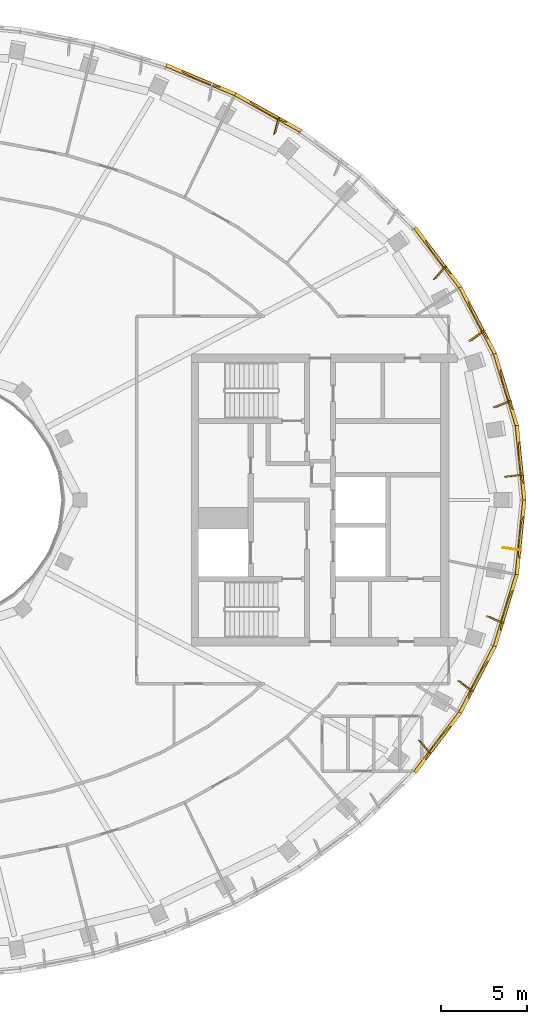
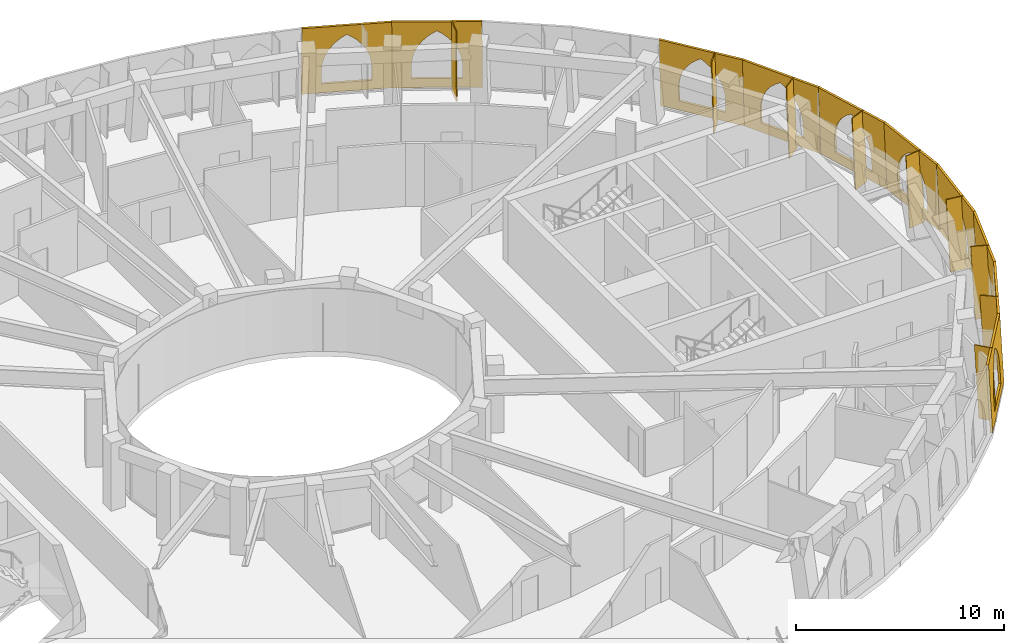
# One storey, part 15 of 15: 19 coverings.
"""IFC4 building model written with IfcOpenShell, lengths in metres."""

from ifc_helpers import new_model, si_unit, direction, frame, origin, place, context, subcontext, project, spatial, polyline, outline, extrude, material, layer, layer_set, type_object, element, save


model = new_model("IFC4")

# Units and contexts
model_context = context("Model", 3, precision=1e-05, world=origin(), true_north=direction((0.0, 1.0)))
body_context = subcontext(model_context, "Body", "Model", "MODEL_VIEW")
ifc_project = project(units=[si_unit("LENGTHUNIT", "METRE"), si_unit("AREAUNIT", "SQUARE_METRE"), si_unit("VOLUMEUNIT", "CUBIC_METRE"), si_unit("PLANEANGLEUNIT", "RADIAN"), si_unit("MASSUNIT", "GRAM", prefix="KILO")], contexts=[model_context])

# Site, building, storey
site_placement = place(None, origin())
site = spatial("IfcSite", under=ifc_project, at=site_placement, CompositionType="ELEMENT")
building_placement = place(site_placement, origin())
building = spatial("IfcBuilding", under=site, at=building_placement, Name="Noorbagh Ring Tower", CompositionType="ELEMENT")
storey_placement = place(building_placement, frame((0.0, 0.0, 331.0)))
storey = spatial("IfcBuildingStorey", under=building, at=storey_placement, Name="L72", CompositionType="ELEMENT", Elevation=331.0)

# Coverings
ifc_material_1 = material(Name="Aluminium 6063-T6 black anodised", Category="aluminium")
ifc_layer_1 = layer(ifc_material_1, 0.050048828125)
ifc_layer_set_1 = layer_set([ifc_layer_1], Name="Aluminium 6063-T6 black anodised")
covering_type_1 = type_object("IfcCoveringType", Name="STYLE-HEAD-FIN", PredefinedType="CLADDING", material=ifc_layer_set_1)
covering_1_placement = place(storey_placement, frame((35.869384765625, 1.45458984375, -0.31494140625), z_axis=(0.123967256575, -0.992280578887, 0.003372248733), x_axis=(-0.049785220791, -0.002825494937, 0.998755950355)))
element("IfcCovering", 1, at=covering_1_placement, inside=storey, type_object=covering_type_1, Name="Fin rib F01 L72", ObjectType="FIN", PredefinedType="CLADDING", context=body_context, shape_type="SweptSolid", body=[
    extrude(outline(polyline([(0.0, 0.0), (4.320316093953795, -2.7755575615628914e-17), (4.3650928490417416, 0.8988943311829148), (0.04477675508794575, 0.8988943311829148), (0.0, 0.0)])), origin(), (0.0, 0.0, -1.0), 0.050048828125),
])
covering_2_placement = place(storey_placement, frame((35.1494140625, 5.760009765625, -0.31494140625), z_axis=(0.380407755071, -0.924777355376, 0.008762583256), x_axis=(-0.048612859224, -0.01053331601, 0.998762153454)))
element("IfcCovering", 2, at=covering_2_placement, inside=storey, type_object=covering_type_1, Name="Fin rib F02 L72", ObjectType="FIN", PredefinedType="CLADDING", context=body_context, shape_type="SweptSolid", body=[
    extrude(outline(polyline([(0.0, 0.0), (4.320287863567138, -5.551115123125783e-17), (4.36436441605748, 0.8990579126163802), (0.04406725572686171, 0.8989253009266853), (0.0, 0.0)])), origin(), (0.0, 0.0, -1.0), 0.050048828125),
])
covering_3_placement = place(storey_placement, frame((33.61962890625, 9.851318359375, -0.31494140625), z_axis=(0.594792868756, -0.803770481787, 0.013208174929), x_axis=(-0.046328594773, -0.017870818806, 0.99876638667)))
element("IfcCovering", 3, at=covering_3_placement, inside=storey, type_object=covering_type_1, Name="Fin rib F03 L72", ObjectType="FIN", PredefinedType="CLADDING", context=body_context, shape_type="SweptSolid", body=[
    extrude(outline(polyline([(0.0, 0.0), (4.320271910268459, 0.0), (4.363353534281039, 0.8989375491541148), (0.04309293470466303, 0.8991334824790429), (0.0, 0.0)])), origin(), (0.0, 0.0, -1.0), 0.050048828125),
])
covering_4_placement = place(storey_placement, frame((31.385009765625, 13.608642578125, -0.31494140625), z_axis=(0.755214781516, -0.655269855321, 0.016493953047), x_axis=(-0.043131535722, -0.024569958976, 0.998767234015)))
element("IfcCovering", 4, at=covering_4_placement, inside=storey, type_object=covering_type_1, Name="Fin rib F04 L72", ObjectType="FIN", PredefinedType="CLADDING", context=body_context, shape_type="SweptSolid", body=[
    extrude(outline(polyline([(0.0, 0.0), (4.320265963841156, 0.0), (4.362406724606096, 0.8989521104898888), (0.04214675929008034, 0.8991364354869462), (0.0, 0.0)])), origin(), (0.0, 0.0, -1.0), 0.050048828125),
])
covering_5_placement = place(storey_placement, frame((21.665283203125, 22.312744140625, -0.31494140625), z_axis=(0.96817608092, -0.249571867315, 0.018680454453), x_axis=(-0.029554993028, -0.039896415062, 0.998766628624)))
element("IfcCovering", 5, at=covering_5_placement, inside=storey, type_object=covering_type_1, Name="Fin rib F07 L72", ObjectType="FIN", PredefinedType="CLADDING", context=body_context, shape_type="SweptSolid", body=[
    extrude(outline(polyline([(0.0, 0.0), (4.320269903486906, 2.7755575615628914e-17), (4.361671490142717, 0.8988687332414541), (0.04140158665581105, 0.8988687332414541), (0.0, 0.0)])), origin(), (0.0, 0.0, -1.0), 0.050048828125),
])
covering_6_placement = place(storey_placement, frame((30.502685546875, -14.773193359375, -0.31494140625), z_axis=(0.764116430804, 0.64490124751, 0.015114930901), x_axis=(-0.042421693939, 0.026855655197, 0.99873879151)))
element("IfcCovering", 6, at=covering_6_placement, inside=storey, type_object=covering_type_1, Name="Fin rib F43 L72", ObjectType="FIN", PredefinedType="CLADDING", context=body_context, shape_type="SweptSolid", body=[
    extrude(outline(polyline([(0.0, 0.0), (4.3203917308394315, 2.7755575615628914e-17), (4.363479803882294, -0.8988377741312422), (0.04309842990173446, -0.8989949230499945), (0.0, 0.0)])), origin(), (0.0, 0.0, -1.0), 0.050048828125),
])
covering_7_placement = place(storey_placement, frame((32.944580078125, -11.146728515625, -0.31494140625), z_axis=(0.609483930236, 0.792708850073, 0.011917122108), x_axis=(-0.045931231231, 0.020300342172, 0.998738313126)))
element("IfcCovering", 7, at=covering_7_placement, inside=storey, type_object=covering_type_1, Name="Fin rib F44 L72", ObjectType="FIN", PredefinedType="CLADDING", context=body_context, shape_type="SweptSolid", body=[
    extrude(outline(polyline([(0.0, 0.0), (4.32039327637094, -2.7755575615628914e-17), (4.364296090462197, -0.898847255753012), (0.043914027770757626, -0.8990404849468758), (0.0, 0.0)])), origin(), (0.0, 0.0, -1.0), 0.050048828125),
])
covering_8_placement = place(storey_placement, frame((34.722900390625, -7.15673828125, -0.31494140625), z_axis=(0.40049449565, 0.91626847701, 0.007499132783), x_axis=(-0.048382302964, 0.012973410848, 0.998744633713)))
element("IfcCovering", 8, at=covering_8_placement, inside=storey, type_object=covering_type_1, Name="Fin rib F45 L72", ObjectType="FIN", PredefinedType="CLADDING", context=body_context, shape_type="SweptSolid", body=[
    extrude(outline(polyline([(0.0, 0.0), (4.320364207050518, -2.7755575615628914e-17), (4.364940421363235, -0.8988925879084151), (0.044579381649349846, -0.8989903307193711), (0.0, 0.0)])), origin(), (0.0, 0.0, -1.0), 0.050048828125),
])
covering_9_placement = place(storey_placement, frame((35.72314453125, -2.9072265625, -0.31494140625), z_axis=(0.147437986241, 0.989068809266, 0.00222052913), x_axis=(-0.049724271434, 0.005170008208, 0.998749602175)))
element("IfcCovering", 9, at=covering_9_placement, inside=storey, type_object=covering_type_1, Name="Fin rib F46 L72", ObjectType="FIN", PredefinedType="CLADDING", context=body_context, shape_type="SweptSolid", body=[
    extrude(outline(polyline([(0.0, 0.0), (4.320343822865375, 0.0), (4.365291864397006, -0.8988671743970689), (0.04494677932259461, -0.8988311968471917), (0.0, 0.0)])), origin(), (0.0, 0.0, -1.0), 0.050048828125),
])
ifc_material_2 = material(Name="Red sandstone jali", Category="masonry")
ifc_layer_2 = layer(ifc_material_2, 0.1201171875)
ifc_layer_set_2 = layer_set([ifc_layer_2], Name="Red sandstone jali")
covering_type_2 = type_object("IfcCoveringType", Name="STYLE-HEAD-SKIN", PredefinedType="CLADDING", material=ifc_layer_set_2)
covering_10_placement = place(storey_placement, frame((36.0, 0.0, 0.0), z_axis=(0.993734277781, 0.100049361488, 0.049822790254), x_axis=(-0.100173709194, 0.994969963358, -1.223837e-06)))
element("IfcCovering", 10, at=covering_10_placement, inside=storey, type_object=covering_type_2, Name="Head skin panel", ObjectType="HEAD SKIN", PredefinedType="CLADDING", context=body_context, shape_type="SweptSolid", body=[
    extrude(outline(polyline([(0.0, 0.0), (4.380615234375, 0.0), (4.369384765625, 4.0048828125), (0.02001953125, 4.0048828125), (0.0, 0.0)]), holes=[polyline([(0.97314453125, 0.550048828125), (0.97412109375, 1.345703125), (0.9951171875, 1.66357421875), (1.0576171875, 1.97607421875), (1.160400390625, 2.27783203125), (1.3017578125, 2.5634765625), (1.47900390625, 2.828369140625), (1.689208984375, 3.068115234375), (1.92919921875, 3.278076171875), (2.194091796875, 3.455078125), (2.458984375, 3.278076171875), (2.6982421875, 3.068115234375), (2.907958984375, 2.828369140625), (3.084716796875, 2.5634765625), (3.225341796875, 2.27783203125), (3.327392578125, 1.97607421875), (3.38916015625, 1.66357421875), (3.40966796875, 1.345703125), (3.40869140625, 0.550048828125), (0.97314453125, 0.550048828125)])]), origin(), (0.0, 0.0, -1.0), 0.1201171875),
])
covering_11_placement = place(storey_placement, frame((35.561279296875, 4.358642578125, 0.0), z_axis=(0.955189691899, 0.291812321825, 0.049580453014), x_axis=(-0.29217173801, 0.956365869061, 1.767766e-06)))
element("IfcCovering", 11, at=covering_11_placement, inside=storey, type_object=covering_type_2, Name="Head skin panel", ObjectType="HEAD SKIN", PredefinedType="CLADDING", context=body_context, shape_type="SweptSolid", body=[
    extrude(outline(polyline([(0.0, 0.0), (4.38134765625, 0.0), (4.378662109375, 4.0048828125), (0.028076171875, 4.0048828125), (0.0, 0.0)]), holes=[polyline([(0.97412109375, 0.550048828125), (0.976806640625, 1.34521484375), (0.99853515625, 1.6630859375), (1.061767578125, 1.9755859375), (1.1650390625, 2.27734375), (1.306884765625, 2.563232421875), (1.48486328125, 2.828125), (1.69580078125, 3.06787109375), (1.93603515625, 3.27783203125), (2.20166015625, 3.455078125), (2.466064453125, 3.27783203125), (2.704833984375, 3.06787109375), (2.914306640625, 2.828125), (3.090576171875, 2.563232421875), (3.23046875, 2.27734375), (3.33203125, 1.9755859375), (3.393310546875, 1.6630859375), (3.4130859375, 1.34521484375), (3.410400390625, 0.550048828125), (0.97412109375, 0.550048828125)])]), origin(), (0.0, 0.0, -1.0), 0.1201171875),
])
covering_12_placement = place(storey_placement, frame((34.281005859375, 8.548828125, 0.0), z_axis=(0.885655776281, 0.461713503039, 0.049340521399), x_axis=(-0.462276558435, 0.886735802549, 2.13863e-07)))
element("IfcCovering", 12, at=covering_12_placement, inside=storey, type_object=covering_type_2, Name="Head skin panel", ObjectType="HEAD SKIN", PredefinedType="CLADDING", context=body_context, shape_type="SweptSolid", body=[
    extrude(outline(polyline([(0.0, 0.0), (4.38232421875, 0.0), (4.38623046875, 4.0048828125), (0.033935546875, 4.0048828125), (0.0, 0.0)]), holes=[polyline([(0.97509765625, 0.550048828125), (0.97900390625, 1.343994140625), (1.001220703125, 1.662353515625), (1.06494140625, 1.97509765625), (1.168701171875, 2.27685546875), (1.311279296875, 2.562744140625), (1.489501953125, 2.827880859375), (1.700927734375, 3.067626953125), (1.941650390625, 3.27783203125), (2.20751953125, 3.454833984375), (2.4716796875, 3.27783203125), (2.71044921875, 3.067626953125), (2.919677734375, 2.827880859375), (3.095458984375, 2.562744140625), (3.235107421875, 2.27685546875), (3.336181640625, 1.97509765625), (3.39697265625, 1.662353515625), (3.416259765625, 1.343994140625), (3.412353515625, 0.550048828125), (0.97509765625, 0.550048828125)])]), origin(), (0.0, 0.0, -1.0), 0.1201171875),
])
covering_13_placement = place(storey_placement, frame((32.255126953125, 12.434814453125, 0.0), z_axis=(0.79599848454, 0.603298925036, 0.049161160085), x_axis=(-0.604029260729, 0.796962139742, -5.29737e-07)))
element("IfcCovering", 13, at=covering_13_placement, inside=storey, type_object=covering_type_2, Name="Head skin panel", ObjectType="HEAD SKIN", PredefinedType="CLADDING", context=body_context, shape_type="SweptSolid", body=[
    extrude(outline(polyline([(0.0, 0.0), (4.383056640625, 0.0), (4.39208984375, 4.0048828125), (0.037353515625, 4.0048828125), (0.0, 0.0)]), holes=[polyline([(0.9755859375, 0.550048828125), (0.980224609375, 1.343017578125), (1.0029296875, 1.661376953125), (1.06689453125, 1.97412109375), (1.171142578125, 2.2763671875), (1.31396484375, 2.562255859375), (1.49267578125, 2.82763671875), (1.704345703125, 3.0673828125), (1.9453125, 3.277587890625), (2.211669921875, 3.454833984375), (2.475830078125, 3.277587890625), (2.71435546875, 3.0673828125), (2.92333984375, 2.82763671875), (3.09912109375, 2.562255859375), (3.238525390625, 2.2763671875), (3.339111328125, 1.97412109375), (3.399658203125, 1.661376953125), (3.418701171875, 1.343017578125), (3.4140625, 0.550048828125), (0.9755859375, 0.550048828125)])]), origin(), (0.0, 0.0, -1.0), 0.1201171875),
])
covering_14_placement = place(storey_placement, frame((22.9326171875, 21.583740234375, 0.0), z_axis=(0.488867790187, 0.870966542693, 0.049250027689), x_axis=(-0.872024799365, 0.489461693383, 1.57944e-06)))
element("IfcCovering", 14, at=covering_14_placement, inside=storey, type_object=covering_type_2, Name="Head skin panel", ObjectType="HEAD SKIN", PredefinedType="CLADDING", context=body_context, shape_type="SweptSolid", body=[
    extrude(outline(polyline([(0.0, 0.0), (4.3857421875, 0.0), (4.39501953125, 4.0048828125), (0.035888671875, 4.0048828125), (0.0, 0.0)]), holes=[polyline([(0.97509765625, 0.550048828125), (0.979736328125, 1.3408203125), (1.00244140625, 1.659423828125), (1.06640625, 1.97265625), (1.1708984375, 2.27490234375), (1.313720703125, 2.561279296875), (1.49267578125, 2.826904296875), (1.70458984375, 3.06689453125), (1.94580078125, 3.277587890625), (2.21240234375, 3.454833984375), (2.476806640625, 3.277587890625), (2.7158203125, 3.06689453125), (2.9248046875, 2.826904296875), (3.100830078125, 2.561279296875), (3.240478515625, 2.27490234375), (3.34130859375, 1.97265625), (3.40185546875, 1.659423828125), (3.4208984375, 1.3408203125), (3.41650390625, 0.550048828125), (0.97509765625, 0.550048828125)])]), origin(), (0.0, 0.0, -1.0), 0.1201171875),
])
covering_15_placement = place(storey_placement, frame((19.108154296875, 23.730224609375, 0.0), z_axis=(0.387170228945, 0.920682830737, 0.049420026363), x_axis=(-0.921809199113, 0.387643909317, -2.64757e-07)))
element("IfcCovering", 15, at=covering_15_placement, inside=storey, type_object=covering_type_2, Name="Head skin panel", ObjectType="HEAD SKIN", PredefinedType="CLADDING", context=body_context, shape_type="SweptSolid", body=[
    extrude(outline(polyline([(0.0, 0.0), (4.385986328125, 0.0), (4.392578125, 4.0048828125), (0.0322265625, 4.0048828125), (0.0, 0.0)]), holes=[polyline([(0.974609375, 0.550048828125), (0.978515625, 1.34033203125), (1.0009765625, 1.658935546875), (1.064697265625, 1.972412109375), (1.1689453125, 2.274658203125), (1.3115234375, 2.561279296875), (1.490478515625, 2.826904296875), (1.7021484375, 3.06689453125), (1.943359375, 3.277587890625), (2.209716796875, 3.455078125), (2.474365234375, 3.277587890625), (2.713623046875, 3.06689453125), (2.923095703125, 2.826904296875), (3.09912109375, 2.561279296875), (3.239013671875, 2.274658203125), (3.340087890625, 1.972412109375), (3.40087890625, 1.658935546875), (3.42041015625, 1.34033203125), (3.41650390625, 0.550048828125), (0.974609375, 0.550048828125)])]), origin(), (0.0, 0.0, -1.0), 0.1201171875),
])
covering_16_placement = place(storey_placement, frame((29.607666015625, -15.927978515625, 0.0), z_axis=(0.79596577234, -0.603274131979, 0.049988108063), x_axis=(0.604029260024, 0.796962140277, 5.38625e-07)))
element("IfcCovering", 16, at=covering_16_placement, inside=storey, type_object=covering_type_2, Name="Head skin panel", ObjectType="HEAD SKIN", PredefinedType="CLADDING", context=body_context, shape_type="SweptSolid", body=[
    extrude(outline(polyline([(0.0, 0.0), (4.383056640625, 0.0), (4.345703125, 4.0048828125), (-0.009033203125, 4.005126953125), (0.0, 0.0)]), holes=[polyline([(0.96923828125, 0.550048828125), (0.964599609375, 1.34326171875), (0.983642578125, 1.66162109375), (1.044189453125, 1.974365234375), (1.14501953125, 2.2763671875), (1.2841796875, 2.5625), (1.4599609375, 2.82763671875), (1.6689453125, 3.0673828125), (1.907470703125, 3.27783203125), (2.171630859375, 3.455078125), (2.43798828125, 3.27783203125), (2.678955078125, 3.0673828125), (2.890625, 2.82763671875), (3.0693359375, 2.5625), (3.212158203125, 2.2763671875), (3.31640625, 1.974365234375), (3.380615234375, 1.66162109375), (3.4033203125, 1.34326171875), (3.40771484375, 0.550048828125), (0.96923828125, 0.550048828125)])]), origin(), (0.0, 0.0, -1.0), 0.1201171875),
])
covering_17_placement = place(storey_placement, frame((32.255126953125, -12.434814453125, 0.0), z_axis=(0.885625793003, -0.46169787204, 0.050020293105), x_axis=(0.462276558695, 0.886735802413, -2.16802e-07)))
element("IfcCovering", 17, at=covering_17_placement, inside=storey, type_object=covering_type_2, Name="Head skin panel", ObjectType="HEAD SKIN", PredefinedType="CLADDING", context=body_context, shape_type="SweptSolid", body=[
    extrude(outline(polyline([(0.0, 0.0), (4.38232421875, 0.0), (4.348388671875, 4.005126953125), (-0.00390625, 4.005126953125), (0.0, 0.0)]), holes=[polyline([(0.969970703125, 0.550048828125), (0.966064453125, 1.34423828125), (0.9853515625, 1.662353515625), (1.046142578125, 1.97509765625), (1.147216796875, 2.277099609375), (1.286865234375, 2.56298828125), (1.462646484375, 2.827880859375), (1.671875, 3.067626953125), (1.910400390625, 3.278076171875), (2.1748046875, 3.455078125), (2.440673828125, 3.278076171875), (2.681396484375, 3.067626953125), (2.892578125, 2.827880859375), (3.071044921875, 2.56298828125), (3.21337890625, 2.277099609375), (3.3173828125, 1.97509765625), (3.381103515625, 1.662353515625), (3.4033203125, 1.34423828125), (3.4072265625, 0.550048828125), (0.969970703125, 0.550048828125)])]), origin(), (0.0, 0.0, -1.0), 0.1201171875),
])
covering_18_placement = place(storey_placement, frame((34.281005859375, -8.548828125, 0.0), z_axis=(0.955162988671, -0.291812694975, 0.050090080098), x_axis=(0.292179532732, 0.956363487723, -1.377217e-06)))
element("IfcCovering", 18, at=covering_18_placement, inside=storey, type_object=covering_type_2, Name="Head skin panel", ObjectType="HEAD SKIN", PredefinedType="CLADDING", context=body_context, shape_type="SweptSolid", body=[
    extrude(outline(polyline([(0.0, 0.0), (4.38134765625, 0.0), (4.353271484375, 4.005126953125), (0.0029296875, 4.005126953125), (0.0, 0.0)]), holes=[polyline([(0.970703125, 0.550048828125), (0.96826171875, 1.34521484375), (0.988037109375, 1.6630859375), (1.04931640625, 1.9755859375), (1.15087890625, 2.277587890625), (1.290771484375, 2.563232421875), (1.467041015625, 2.828369140625), (1.676513671875, 3.06787109375), (1.915283203125, 3.278076171875), (2.1796875, 3.455078125), (2.4453125, 3.278076171875), (2.685546875, 3.06787109375), (2.896484375, 2.828369140625), (3.07421875, 2.563232421875), (3.21630859375, 2.277587890625), (3.319580078125, 1.9755859375), (3.3828125, 1.6630859375), (3.404541015625, 1.34521484375), (3.406982421875, 0.550048828125), (0.970703125, 0.550048828125)])]), origin(), (0.0, 0.0, -1.0), 0.1201171875),
])
covering_19_placement = place(storey_placement, frame((35.561279296875, -4.358642578125, 0.0), z_axis=(0.993725252592, -0.10004845283, 0.050004294287), x_axis=(0.100173708751, 0.994969963403, 1.228284e-06)))
element("IfcCovering", 19, at=covering_19_placement, inside=storey, type_object=covering_type_2, Name="Head skin panel", ObjectType="HEAD SKIN", PredefinedType="CLADDING", context=body_context, shape_type="SweptSolid", body=[
    extrude(outline(polyline([(0.0, 0.0), (4.380615234375, 0.0), (4.360595703125, 4.005126953125), (0.01123046875, 4.005126953125), (0.0, 0.0)]), holes=[polyline([(0.971923828125, 0.550048828125), (0.970947265625, 1.345703125), (0.991455078125, 1.66357421875), (1.05322265625, 1.97607421875), (1.155517578125, 2.27783203125), (1.2958984375, 2.563720703125), (1.47265625, 2.82861328125), (1.6826171875, 3.068115234375), (1.921875, 3.278076171875), (2.1865234375, 3.455078125), (2.45166015625, 3.278076171875), (2.69140625, 3.068115234375), (2.901611328125, 2.82861328125), (3.0791015625, 2.563720703125), (3.22021484375, 2.27783203125), (3.322998046875, 1.97607421875), (3.385498046875, 1.66357421875), (3.40673828125, 1.345703125), (3.40771484375, 0.550048828125), (0.971923828125, 0.550048828125)])]), origin(), (0.0, 0.0, -1.0), 0.1201171875),
])

save(model, "model.ifc")
